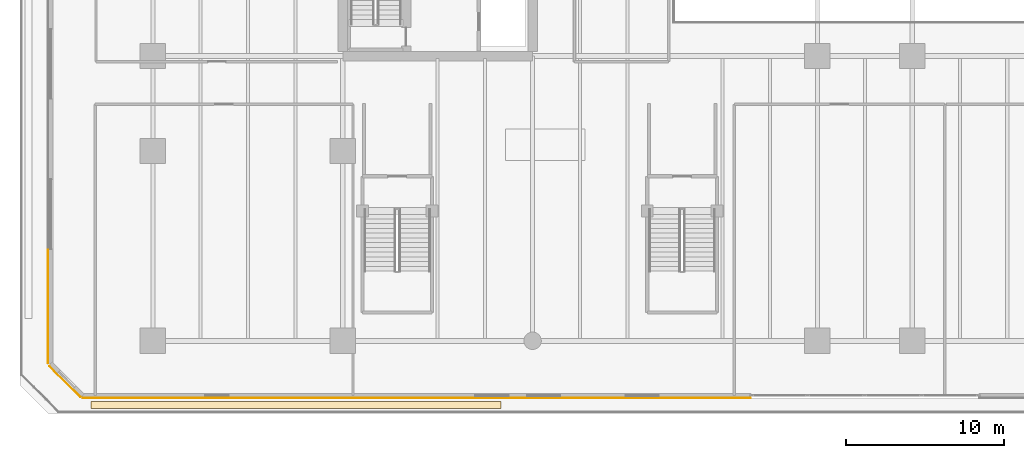
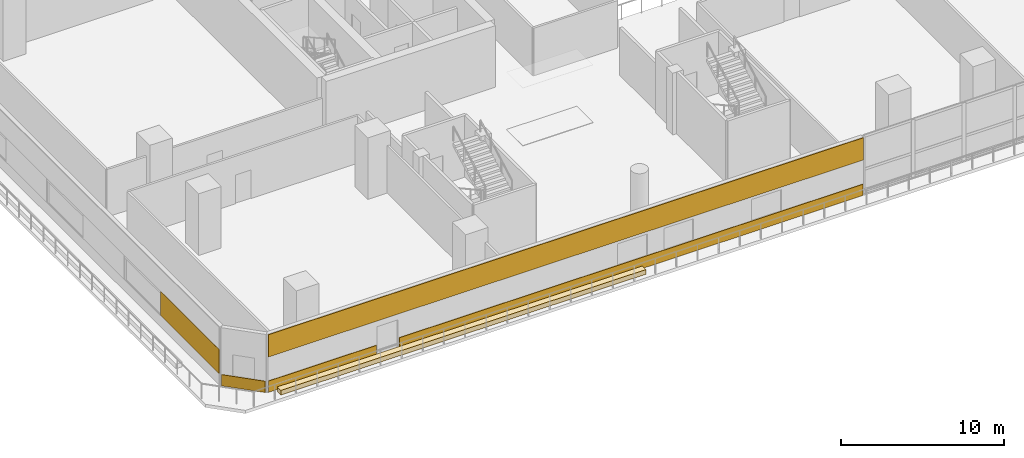
# One storey, part 15 of 27: 6 coverings.
"""IFC4 building model written with IfcOpenShell, lengths in metres."""

from ifc_helpers import new_model, si_unit, direction, frame, origin, origin_2d, place, context, subcontext, project, spatial, polyline, rectangle, outline, extrude, material, layer, layer_set, type_object, element, save


model = new_model("IFC4")

# Units and contexts
model_context = context("Model", 3, precision=1e-05, world=origin(), true_north=direction((0.0, 1.0)))
body_context = subcontext(model_context, "Body", "Model", "MODEL_VIEW")
ifc_project = project(units=[si_unit("LENGTHUNIT", "METRE"), si_unit("AREAUNIT", "SQUARE_METRE"), si_unit("VOLUMEUNIT", "CUBIC_METRE"), si_unit("PLANEANGLEUNIT", "RADIAN"), si_unit("MASSUNIT", "GRAM", prefix="KILO")], contexts=[model_context])

# Site, building, storey
site_placement = place(None, origin())
site = spatial("IfcSite", under=ifc_project, at=site_placement, CompositionType="ELEMENT")
building_placement = place(site_placement, origin())
building = spatial("IfcBuilding", under=site, at=building_placement, Name="Tanjung Sevakor Pilgrim Tower", CompositionType="ELEMENT")
storey_placement = place(building_placement, frame((0.0, 0.0, 14.85009765625)))
storey = spatial("IfcBuildingStorey", under=building, at=storey_placement, Name="L04", CompositionType="ELEMENT", Elevation=14.85009765625)

# Coverings
ifc_material_1 = material(Name="Reconstructed Limestone Cladding", Category="masonry")
ifc_layer_1 = layer(ifc_material_1, 0.044921875)
ifc_layer_set_1 = layer_set([ifc_layer_1], Name="COV-CLAD-LIMESTONE")
covering_type_1 = type_object("IfcCoveringType", Name="COV-CLAD-LIMESTONE", PredefinedType="CLADDING", material=ifc_layer_set_1)
covering_1_placement = place(storey_placement, frame((11.423095703125, 2.9775390625, 0.009765625), z_axis=(0.0, 0.0, 1.0), x_axis=(1.0, 0.0, 0.0)))
element("IfcCovering", 1, at=covering_1_placement, inside=storey, type_object=covering_type_1, Name="L04 Warm Limestone Sill Spandrel EW-L04-S1-1", PredefinedType="CLADDING", context=body_context, shape_type="SweptSolid", body=[
    extrude(rectangle(XDim=7.64990234375, YDim=0.044921875, at=origin_2d()), origin(), (0.0, 0.0, 1.0), 0.840087890625),
])
covering_2_placement = place(storey_placement, frame((33.31396484375, 2.9775390625, 0.009765625), z_axis=(0.0, 0.0, 1.0), x_axis=(1.0, 0.0, 0.0)))
element("IfcCovering", 2, at=covering_2_placement, inside=storey, type_object=covering_type_1, Name="L04 Warm Limestone Sill Spandrel EW-L04-S1-2", PredefinedType="CLADDING", context=body_context, shape_type="SweptSolid", body=[
    extrude(rectangle(XDim=32.89208984375, YDim=0.044921875, at=origin_2d()), origin(), (0.0, 0.0, 1.0), 0.840087890625),
])
covering_3_placement = place(storey_placement, frame((28.678955078125, 2.9775390625, 2.659912109375), z_axis=(0.0, 0.0, 1.0), x_axis=(1.0, 0.0, 0.0)))
element("IfcCovering", 3, at=covering_3_placement, inside=storey, type_object=covering_type_1, Name="L04 Warm Limestone Cornice Spandrel EW-L04-S1", PredefinedType="CLADDING", context=body_context, shape_type="SweptSolid", body=[
    extrude(rectangle(XDim=42.201904296875, YDim=0.044921875, at=origin_2d()), origin(), (0.0, 0.0, 1.0), 1.669921875),
])
covering_4_placement = place(storey_placement, frame((5.37744140625, 8.77392578125, 0.849853515625), z_axis=(0.0, 0.0, 1.0), x_axis=(0.0, -1.0, 0.0)))
element("IfcCovering", 4, at=covering_4_placement, inside=storey, type_object=covering_type_1, Name="L04 Warm Limestone Pier Panel EW-L04-MAIN-7-6", PredefinedType="CLADDING", context=body_context, shape_type="SweptSolid", body=[
    extrude(rectangle(XDim=7.152099609375, YDim=0.044921875, at=origin_2d()), origin(), (0.0, 0.0, 1.0), 1.81005859375),
])
covering_5_placement = place(storey_placement, frame((6.43408203125, 4.0341796875, 0.009765625), z_axis=(0.0, 0.0, 1.0), x_axis=(0.707106781187, -0.707106781187, 0.0)))
element("IfcCovering", 5, at=covering_5_placement, inside=storey, type_object=covering_type_1, Name="L04 Warm Limestone Sill Spandrel EW-L04-MAIN-8-1", PredefinedType="CLADDING", context=body_context, shape_type="SweptSolid", body=[
    extrude(rectangle(XDim=2.77392578125, YDim=0.044921875, at=origin_2d()), origin(), (0.0, 0.0, 1.0), 0.840087890625),
])
ifc_material_2 = material(Name="Vegetated Modular Planter Assembly", Category="organic")
ifc_layer_2 = layer(ifc_material_2, 0.35009765625)
ifc_layer_set_2 = layer_set([ifc_layer_2], Name="COV-GRN-TROUGH")
covering_type_2 = type_object("IfcCoveringType", Name="COV-GRN-TROUGH", PredefinedType="CLADDING", material=ifc_layer_set_2)
covering_6_placement = place(storey_placement, origin())
element("IfcCovering", 6, at=covering_6_placement, inside=storey, type_object=covering_type_2, Name="L04 Planted Landscape Hedge Trough PGRN-L04-SW", PredefinedType="CLADDING", context=body_context, shape_type="SweptSolid", body=[
    extrude(outline(polyline([(8.10009765625, 2.330078125), (34.0, 2.330078125), (34.0, 2.77001953125), (8.10009765625, 2.77001953125), (8.10009765625, 2.330078125)])), origin(), (0.0, 0.0, 1.0), 0.349853515625),
])

save(model, "model.ifc")
